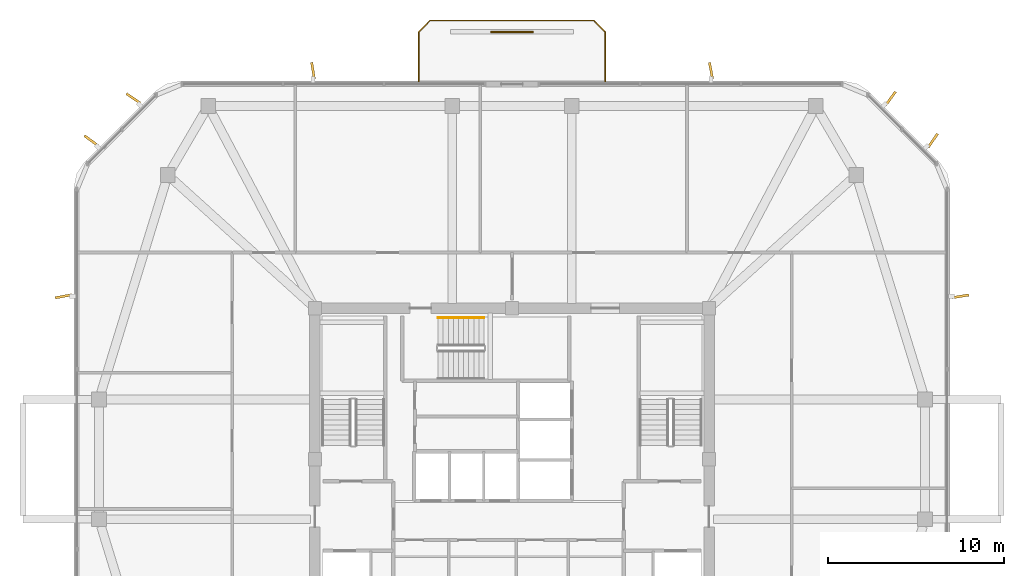
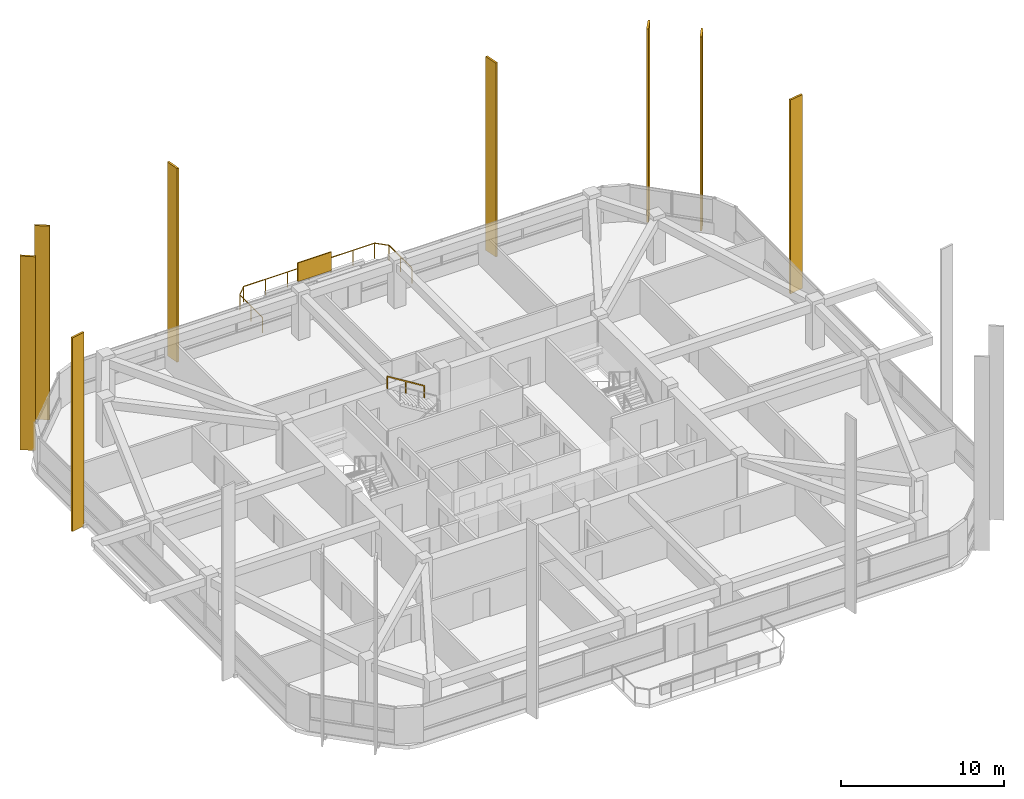
# One storey, part 12 of 12: 9 shading devices, 2 railings.
"""IFC4 building model written with IfcOpenShell, lengths in metres."""

from ifc_helpers import new_model, si_unit, derived_unit, direction, frame, origin, origin_2d, place, context, subcontext, project, spatial, rectangle, extrude, material, layer, layer_set, type_object, element, save


model = new_model("IFC4")

# Units and contexts
model_context = context("Model", 3, precision=1e-05, world=origin(), true_north=direction((0.0, 1.0)))
body_context = subcontext(model_context, "Body", "Model", "MODEL_VIEW")
ifc_project = project(units=[si_unit("LENGTHUNIT", "METRE"), si_unit("AREAUNIT", "SQUARE_METRE"), si_unit("VOLUMEUNIT", "CUBIC_METRE"), si_unit("PLANEANGLEUNIT", "RADIAN"), si_unit("MASSUNIT", "GRAM", prefix="KILO"), derived_unit("THERMALTRANSMITTANCEUNIT", [(si_unit("POWERUNIT", "WATT"), 1), (si_unit("LENGTHUNIT", "METRE"), -2), (si_unit("THERMODYNAMICTEMPERATUREUNIT", "KELVIN"), -1)])], contexts=[model_context])

# Site, building, storey
site_placement = place(None, origin())
site = spatial("IfcSite", under=ifc_project, at=site_placement, CompositionType="ELEMENT")
building_placement = place(site_placement, origin())
building = spatial("IfcBuilding", under=site, at=building_placement, Name="Koralith Skygarden Medical Center", CompositionType="ELEMENT")
storey_placement = place(building_placement, frame((0.0, 0.0, 268.02001953125)))
storey = spatial("IfcBuildingStorey", under=building, at=storey_placement, Name="L69", CompositionType="ELEMENT", Elevation=268.02001953125)

# Shading devices
ifc_material_1 = material(Name="Aluminium 6063-T6", Category="aluminium")
shading_device_type_1 = type_object("IfcShadingDeviceType", Name="Limestone-Clad Solar Storm Fin 950", PredefinedType="USERDEFINED", material=ifc_material_1)
for number, where, z_axis, x_axis, name in (
    (1, (62.4951171875, 35.169921875, -0.2001953125), (0.0, 0.0, 1.0), (0.987375131968, 0.158399333239, 0.0), "L69 E Harmonic Solar Storm Fin 2"),
    (2, (60.919921875, 44.02197265625, -0.2001953125), (0.0, 0.0, 1.0), (0.564462864892, 0.825458463012, 0.0), "L69 NE Harmonic Solar Storm Fin 1"),
    (3, (58.52197265625, 46.419921875, -0.2001953125), (0.0, 0.0, 1.0), (0.586174408721, 0.810184894058, 0.0), "L69 NE Harmonic Solar Storm Fin 2"),
    (4, (48.31005859375, 47.9951171875, -0.2001953125), (0.0, 0.0, 1.0), (-0.18455175729, 0.982822796277, 0.0), "L69 N Harmonic Solar Storm Fin 1"),
    (5, (25.68994140625, 47.9951171875, -0.2001953125), (0.0, 0.0, 1.0), (-0.158399333239, 0.987375131968, 0.0), "L69 N Harmonic Solar Storm Fin 2"),
    (6, (15.47802734375, 46.419921875, -0.2001953125), (0.0, 0.0, 1.0), (-0.825458463012, 0.564462864892, 0.0), "L69 NW Harmonic Solar Storm Fin 1"),
    (7, (13.080078125, 44.02197265625, -0.2001953125), (0.0, 0.0, 1.0), (-0.810184894058, 0.586174408721, 0.0), "L69 NW Harmonic Solar Storm Fin 2"),
    (8, (11.5048828125, 35.169921875, -0.2001953125), (0.0, 0.0, 1.0), (-0.982822796277, -0.18455175729, 0.0), "L69 W Harmonic Solar Storm Fin 1"),
):
    element("IfcShadingDevice", number, at=place(storey_placement, frame(where, z_axis=z_axis, x_axis=x_axis)), inside=storey, type_object=shading_device_type_1, Name=name, ObjectType="SOLAR FIN", PredefinedType="USERDEFINED", context=body_context, shape_type="SweptSolid", body=[
        extrude(rectangle(XDim=0.949951171875, YDim=0.139892578125, at=origin_2d()), origin(), (0.0, 0.0, 1.0), 14.550048828125),
    ])

# Railing
ifc_material_2 = material(Name="Steel ASTM A500 Grade C", Category="steel")
railing_type_1 = type_object("IfcRailingType", Name="Outdoor Terrace & Balcony Safety Guardrail 1180", PredefinedType="GUARDRAIL", material=ifc_material_2)
railing_1_placement = place(storey_placement, frame((42.300048828125, 47.39990234375, 0.0)))
element("IfcRailing", 9, at=railing_1_placement, inside=storey, type_object=railing_type_1, Name="L69 N Balcony Perimeter Guardrail", PredefinedType="GUARDRAIL", context=body_context, shape_type="SweptSolid", body=[
    extrude(rectangle(XDim=0.050048828125, YDim=0.050048828125, at=origin_2d()), frame((0.0, 0.001953125, 1.15478515625), z_axis=(0.0, 1.0, 0.0), x_axis=(-1.0, 0.0, 0.0)), (0.0, 0.0, 1.0), 2.796142578125),
    extrude(rectangle(XDim=0.050048828125, YDim=0.050048828125, at=origin_2d()), frame((-0.00146484375, 2.801513671875, 1.15478515625), z_axis=(-0.707106781187, 0.707106781187, 0.0), x_axis=(-0.707106781187, -0.707106781187, 0.0)), (0.0, 0.0, 1.0), 0.91552734375),
    extrude(rectangle(XDim=0.050048828125, YDim=0.050048828125, at=origin_2d()), frame((-0.652099609375, 3.4501953125, 1.15478515625), z_axis=(-1.0, 0.0, 0.0), x_axis=(0.0, -1.0, 0.0)), (0.0, 0.0, 1.0), 9.2958984375),
    extrude(rectangle(XDim=0.050048828125, YDim=0.050048828125, at=origin_2d()), frame((-9.951416015625, 3.44873046875, 1.15478515625), z_axis=(-0.707106781187, -0.707106781187, 0.0), x_axis=(0.707106781187, -0.707106781187, 0.0)), (0.0, 0.0, 1.0), 0.91552734375),
    extrude(rectangle(XDim=0.050048828125, YDim=0.050048828125, at=origin_2d()), frame((-10.60009765625, 2.798095703125, 1.15478515625), z_axis=(0.0, -1.0, 0.0), x_axis=(1.0, 0.0, 0.0)), (0.0, 0.0, 1.0), 2.796142578125),
    extrude(rectangle(XDim=0.0419921875, YDim=0.0419921875, at=origin_2d()), origin(), (0.0, 0.0, 1.0), 1.1279296875),
    extrude(rectangle(XDim=0.0419921875, YDim=0.0419921875, at=origin_2d()), frame((0.0, 1.39990234375, 0.0)), (0.0, 0.0, 1.0), 1.1279296875),
    extrude(rectangle(XDim=0.0419921875, YDim=0.0419921875, at=origin_2d()), frame((0.0, 2.800048828125, 0.0)), (0.0, 0.0, 1.0), 1.1279296875),
    extrude(rectangle(XDim=0.0419921875, YDim=0.0419921875, at=origin_2d()), frame((-0.650146484375, 3.4501953125, 0.0)), (0.0, 0.0, 1.0), 1.1279296875),
    extrude(rectangle(XDim=0.0419921875, YDim=0.0419921875, at=origin_2d()), frame((-2.2001953125, 3.4501953125, 0.0)), (0.0, 0.0, 1.0), 1.1279296875),
    extrude(rectangle(XDim=0.0419921875, YDim=0.0419921875, at=origin_2d()), frame((-3.75, 3.4501953125, 0.0)), (0.0, 0.0, 1.0), 1.1279296875),
    extrude(rectangle(XDim=0.0419921875, YDim=0.0419921875, at=origin_2d()), frame((-5.300048828125, 3.4501953125, 0.0)), (0.0, 0.0, 1.0), 1.1279296875),
    extrude(rectangle(XDim=0.0419921875, YDim=0.0419921875, at=origin_2d()), frame((-6.85009765625, 3.4501953125, 0.0)), (0.0, 0.0, 1.0), 1.1279296875),
    extrude(rectangle(XDim=0.0419921875, YDim=0.0419921875, at=origin_2d()), frame((-8.39990234375, 3.4501953125, 0.0)), (0.0, 0.0, 1.0), 1.1279296875),
    extrude(rectangle(XDim=0.0419921875, YDim=0.0419921875, at=origin_2d()), frame((-9.949951171875, 3.4501953125, 0.0)), (0.0, 0.0, 1.0), 1.1279296875),
    extrude(rectangle(XDim=0.0419921875, YDim=0.0419921875, at=origin_2d()), frame((-10.60009765625, 2.800048828125, 0.0)), (0.0, 0.0, 1.0), 1.1279296875),
    extrude(rectangle(XDim=0.0419921875, YDim=0.0419921875, at=origin_2d()), frame((-10.60009765625, 1.39990234375, 0.0)), (0.0, 0.0, 1.0), 1.1279296875),
    extrude(rectangle(XDim=0.0419921875, YDim=0.0419921875, at=origin_2d()), frame((-10.60009765625, 0.0, 0.0)), (0.0, 0.0, 1.0), 1.1279296875),
])

# Shading device
ifc_layer = layer(ifc_material_1, 0.080078125)
ifc_layer_set = layer_set([ifc_layer], Name="Aluminium 6063-T6")
shading_device_type_2 = type_object("IfcShadingDeviceType", Name="Perforated Biophilic Balcony Trellis Screen", PredefinedType="USERDEFINED", material=ifc_layer_set)
shading_device_placement = place(storey_placement, frame((37.0, 50.199951171875, 0.719970703125), z_axis=(0.0, 0.0, 1.0), x_axis=(1.0, 0.0, 0.0)))
element("IfcShadingDevice", 10, at=shading_device_placement, inside=storey, type_object=shading_device_type_2, Name="L69 N Biophilic Balcony Trellis Screen", ObjectType="HURRICANE SCREEN", PredefinedType="USERDEFINED", context=body_context, shape_type="SweptSolid", body=[
    extrude(rectangle(XDim=2.39990234375, YDim=0.080078125, at=origin_2d()), origin(), (0.0, 0.0, 1.0), 1.39990234375),
])

# Railing
railing_type_2 = type_object("IfcRailingType", Name="Stair Flight Tubular Handrail 920", PredefinedType="HANDRAIL", material=ifc_material_2)
railing_2_placement = place(storey_placement, frame((35.409912109375, 33.949951171875, 1.97998046875)))
element("IfcRailing", 11, at=railing_2_placement, inside=storey, type_object=railing_type_2, Name="L69 ST3 stair handrail 2", PredefinedType="HANDRAIL", context=body_context, shape_type="SweptSolid", body=[
    extrude(rectangle(XDim=0.050048828125, YDim=0.050048828125, at=origin_2d()), frame((-0.001708984375, 0.0, 0.89599609375), z_axis=(-0.849610693518, 0.0, 0.52741034258), x_axis=(0.0, -1.0, 0.0)), (0.0, 0.0, 1.0), 3.06787109375),
    extrude(rectangle(XDim=0.0419921875, YDim=0.0419921875, at=origin_2d()), origin(), (0.0, 0.0, 1.0), 0.867919921875),
    extrude(rectangle(XDim=0.0419921875, YDim=0.0419921875, at=origin_2d()), frame((-1.304931640625, 0.0, 0.81005859375)), (0.0, 0.0, 1.0), 0.867919921875),
    extrude(rectangle(XDim=0.0419921875, YDim=0.0419921875, at=origin_2d()), frame((-2.60986328125, 0.0, 1.6201171875)), (0.0, 0.0, 1.0), 0.867919921875),
])

save(model, "model.ifc")
